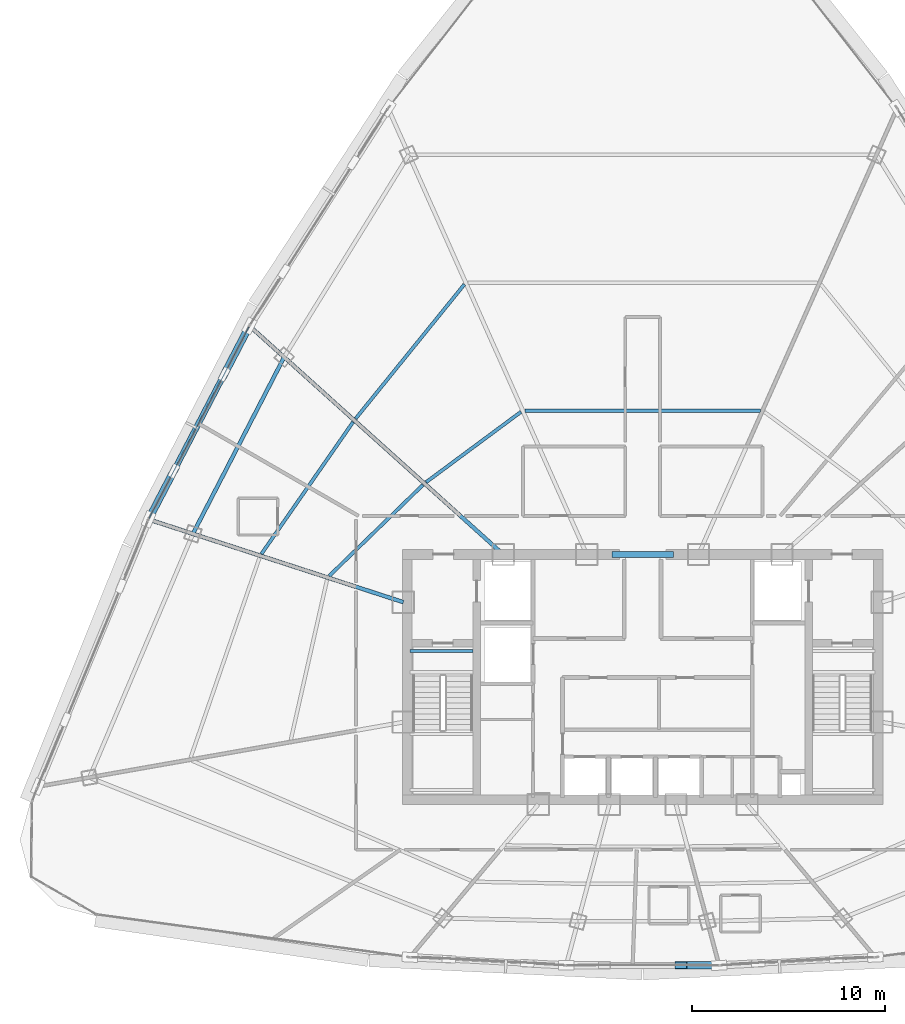
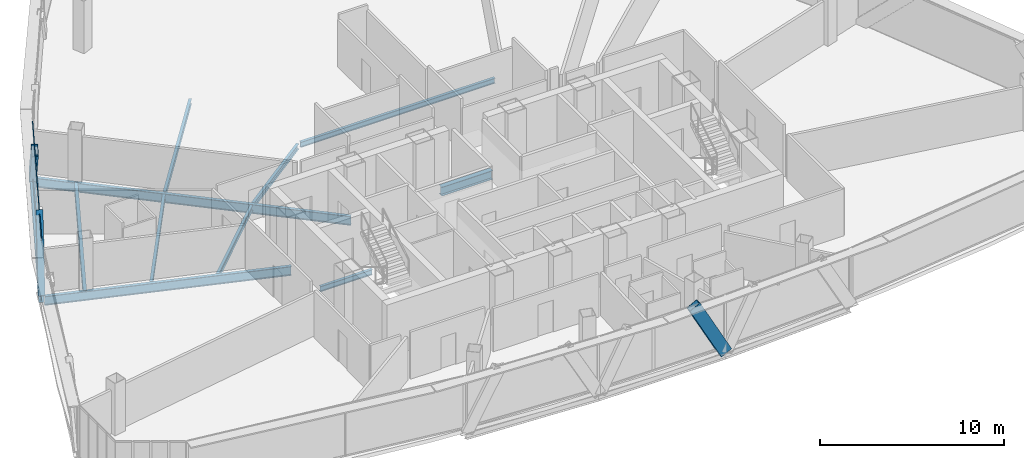
# One storey, part 9 of 40: 11 beams, 5 members, 1 element without a shape of its own.
"""IFC4 building model written with IfcOpenShell, lengths in metres."""

from ifc_helpers import new_model, si_unit, direction, frame, origin, origin_2d, place, context, subcontext, project, spatial, hollow_rectangle, i_section, extrude, source, transform, mapped, material, layer, layer_set, material_profile, profile_set, type_object, element, aggregate, save


model = new_model("IFC4")

# Units and contexts
model_context = context("Model", 3, precision=1e-05, world=origin(), true_north=direction((0.0, 1.0)))
body_context = subcontext(model_context, "Body", "Model", "MODEL_VIEW")
ifc_project = project(units=[si_unit("LENGTHUNIT", "METRE"), si_unit("AREAUNIT", "SQUARE_METRE"), si_unit("VOLUMEUNIT", "CUBIC_METRE"), si_unit("PLANEANGLEUNIT", "RADIAN"), si_unit("MASSUNIT", "GRAM", prefix="KILO"), si_unit("THERMODYNAMICTEMPERATUREUNIT", "KELVIN"), si_unit("POWERUNIT", "WATT")], contexts=[model_context])

# Site, building, storey
site_placement = place(None, origin())
site = spatial("IfcSite", under=ifc_project, at=site_placement, CompositionType="ELEMENT")
building_placement = place(site_placement, origin())
building = spatial("IfcBuilding", under=site, at=building_placement, Name="Yunzhuo Pagoda Commons", CompositionType="ELEMENT")
storey_placement = place(building_placement, frame((0.0, 0.0, 288.75)))
storey = spatial("IfcBuildingStorey", under=building, at=storey_placement, Name="L72", CompositionType="ELEMENT", Elevation=288.75)

# Beams
ifc_material_1 = material(Name="Structural steel Q355B", Category="steel")
ifc_material_profile_1 = material_profile(ifc_material_1, i_section(OverallWidth=0.175048828125, OverallDepth=0.35009765625, WebThickness=0.007080078125, FlangeThickness=0.010986328125, at=origin_2d()), Name="Structural steel Q355B")
ifc_profile_set_1 = profile_set([ifc_material_profile_1], Name="Structural steel Q355B")
beam_type_1 = type_object("IfcBeamType", Name="B-JS2 Joist HN 350x175x7x11", PredefinedType="JOIST", material=ifc_profile_set_1)
shared_shape_1 = source(origin(), body_context, "Body", "SweptSolid", [
    extrude(i_section(OverallWidth=0.175048828125, OverallDepth=0.35009765625, WebThickness=0.007080078125, FlangeThickness=0.010986328125, at=origin_2d()), origin(), (0.0, 0.0, 1.0), 3.25),
])
beam_1_placement = place(storey_placement, frame((35.949951171875, 35.199951171875, -0.375), z_axis=(1.0, 0.0, 0.0), x_axis=(0.0, 1.0, 0.0)))
element("IfcBeam", 1, at=beam_1_placement, inside=storey, type_object=beam_type_1, Name="L72 ST1 landing support beam 176B", PredefinedType="JOIST", context=body_context, shape_type="MappedRepresentation", body=[
    mapped(shared_shape_1, transform((0.0, 0.0, 0.0), scale=1.0)),
])
ifc_material_2 = material(Name="Structural steel Q420B", Category="steel")
ifc_material_profile_2 = material_profile(ifc_material_2, i_section(OverallWidth=0.300048828125, OverallDepth=0.587890625, WebThickness=0.011962890625, FlangeThickness=0.02001953125, at=origin_2d()), Name="Structural steel Q420B")
ifc_profile_set_2 = profile_set([ifc_material_profile_2], Name="Structural steel Q420B")
beam_type_2 = type_object("IfcBeamType", Name="B-CPL Beam HM 588x300x12x20", PredefinedType="BEAM", material=ifc_profile_set_2)
shared_shape_2 = source(origin(), body_context, "Body", "SweptSolid", [
    extrude(i_section(OverallWidth=0.300048828125, OverallDepth=0.587890625, WebThickness=0.011962890625, FlangeThickness=0.02001953125, at=origin_2d()), origin(), (0.0, 0.0, 1.0), 3.2001953125),
])
beam_2_placement = place(storey_placement, frame((46.39990234375, 40.199951171875, -0.553955078125), z_axis=(1.0, 0.0, 0.0), x_axis=(0.0, 1.0, 0.0)))
element("IfcBeam", 2, at=beam_2_placement, inside=storey, type_object=beam_type_2, Name="L72 core coupling girder", PredefinedType="BEAM", context=body_context, shape_type="MappedRepresentation", body=[
    mapped(shared_shape_2, transform((0.0, 0.0, 0.0), scale=1.0)),
])
ifc_material_profile_3 = material_profile(ifc_material_1, i_section(OverallWidth=0.199951171875, OverallDepth=0.60009765625, WebThickness=0.010986328125, FlangeThickness=0.01708984375, at=origin_2d()), Name="Structural steel Q355B")
ifc_profile_set_3 = profile_set([ifc_material_profile_3], Name="Structural steel Q355B")
beam_type_3 = type_object("IfcBeamType", Name="B-RG3 Beam HN 600x200x11x17", PredefinedType="BEAM", material=ifc_profile_set_3)
shared_shape_3 = source(origin(), body_context, "Body", "SweptSolid", [
    extrude(i_section(OverallWidth=0.199951171875, OverallDepth=0.60009765625, WebThickness=0.010986328125, FlangeThickness=0.01708984375, at=origin_2d()), origin(), (0.0, 0.0, 1.0), 10.3017578125),
])
beam_3_placement = place(storey_placement, frame((29.4267578125, 50.423583984375, -0.56005859375), z_axis=(-0.459070867827, -0.888399650108, 0.0), x_axis=(0.888399650108, -0.459070867827, 0.0)))
element("IfcBeam", 3, at=beam_3_placement, inside=storey, type_object=beam_type_3, Name="L72 column-ring beam 10", PredefinedType="BEAM", context=body_context, shape_type="MappedRepresentation", body=[
    mapped(shared_shape_3, transform((0.0, 0.0, 0.0), scale=1.0)),
])
shared_shape_4 = source(origin(), body_context, "Body", "SweptSolid", [
    extrude(i_section(OverallWidth=0.175048828125, OverallDepth=0.35009765625, WebThickness=0.007080078125, FlangeThickness=0.010986328125, at=origin_2d()), origin(), (0.0, 0.0, 1.0), 6.767333984375),
])
beam_4_placement = place(storey_placement, frame((36.611083984375, 43.80029296875, -0.43505859375), z_axis=(-0.717207253673, -0.696859925149, 0.0), x_axis=(0.696859925149, -0.717207253673, 0.0)))
element("IfcBeam", 4, at=beam_4_placement, inside=storey, type_object=beam_type_1, Name="L72 composite ring joist 1.10", PredefinedType="JOIST", context=body_context, shape_type="MappedRepresentation", body=[
    mapped(shared_shape_4, transform((0.0, 0.0, 0.0), scale=1.0)),
])
shared_shape_5 = source(origin(), body_context, "Body", "SweptSolid", [
    extrude(i_section(OverallWidth=0.175048828125, OverallDepth=0.35009765625, WebThickness=0.007080078125, FlangeThickness=0.010986328125, at=origin_2d()), origin(), (0.0, 0.0, 1.0), 8.31103515625),
])
beam_5_placement = place(storey_placement, frame((32.994384765625, 47.0576171875, -0.43505859375), z_axis=(-0.570615989364, -0.821217019236, 0.0), x_axis=(0.821217019236, -0.570615989364, 0.0)))
element("IfcBeam", 5, at=beam_5_placement, inside=storey, type_object=beam_type_1, Name="L72 composite ring joist 2.10", PredefinedType="JOIST", context=body_context, shape_type="MappedRepresentation", body=[
    mapped(shared_shape_5, transform((0.0, 0.0, 0.0), scale=1.0)),
])
shared_shape_6 = source(origin(), body_context, "Body", "SweptSolid", [
    extrude(i_section(OverallWidth=0.175048828125, OverallDepth=0.35009765625, WebThickness=0.007080078125, FlangeThickness=0.010986328125, at=origin_2d()), origin(), (0.0, 0.0, 1.0), 6.109619140625),
])
beam_6_placement = place(storey_placement, frame((41.6943359375, 47.5869140625, -0.43505859375), z_axis=(-0.803396474468, -0.595444459888, 0.0), x_axis=(0.595444459888, -0.803396474468, 0.0)))
element("IfcBeam", 6, at=beam_6_placement, inside=storey, type_object=beam_type_1, Name="L72 composite ring joist 1.9", PredefinedType="JOIST", context=body_context, shape_type="MappedRepresentation", body=[
    mapped(shared_shape_6, transform((0.0, 0.0, 0.0), scale=1.0)),
])
shared_shape_7 = source(origin(), body_context, "Body", "SweptSolid", [
    extrude(i_section(OverallWidth=0.175048828125, OverallDepth=0.35009765625, WebThickness=0.007080078125, FlangeThickness=0.010986328125, at=origin_2d()), origin(), (0.0, 0.0, 1.0), 8.9462890625),
])
beam_7_placement = place(storey_placement, frame((38.763916015625, 54.19287109375, -0.43505859375), z_axis=(-0.629455685791, -0.777036382434, 0.0), x_axis=(0.777036382434, -0.629455685791, 0.0)))
element("IfcBeam", 7, at=beam_7_placement, inside=storey, type_object=beam_type_1, Name="L72 composite ring joist 2.9", PredefinedType="JOIST", context=body_context, shape_type="MappedRepresentation", body=[
    mapped(shared_shape_7, transform((0.0, 0.0, 0.0), scale=1.0)),
])
shared_shape_8 = source(origin(), body_context, "Body", "SweptSolid", [
    extrude(i_section(OverallWidth=0.175048828125, OverallDepth=0.35009765625, WebThickness=0.007080078125, FlangeThickness=0.010986328125, at=origin_2d()), origin(), (0.0, 0.0, 1.0), 12.19677734375),
])
beam_8_placement = place(storey_placement, frame((54.098388671875, 47.6552734375, -0.43505859375), z_axis=(-1.0, 0.0, 0.0), x_axis=(0.0, -1.0, 0.0)))
element("IfcBeam", 8, at=beam_8_placement, inside=storey, type_object=beam_type_1, Name="L72 composite ring joist 1.8", PredefinedType="JOIST", context=body_context, shape_type="MappedRepresentation", body=[
    mapped(shared_shape_8, transform((0.0, 0.0, 0.0), scale=1.0)),
])
shared_shape_9 = source(origin(), body_context, "Body", "SweptSolid", [
    extrude(i_section(OverallWidth=0.199951171875, OverallDepth=0.60009765625, WebThickness=0.010986328125, FlangeThickness=0.01708984375, at=origin_2d()), origin(), (0.0, 0.0, 1.0), 13.723388671875),
])
beam_9_placement = place(storey_placement, frame((22.54833984375, 41.9697265625, -0.56005859375), z_axis=(0.951057598357, -0.309013664112, 0.0), x_axis=(0.309013664112, 0.951057598357, 0.0)))
element("IfcBeam", 9, at=beam_9_placement, inside=storey, type_object=beam_type_3, Name="L72 radial floor girder F3C3", PredefinedType="BEAM", context=body_context, shape_type="MappedRepresentation", body=[
    mapped(shared_shape_9, transform((0.0, 0.0, 0.0), scale=1.0)),
])
shared_shape_10 = source(origin(), body_context, "Body", "SweptSolid", [
    extrude(i_section(OverallWidth=0.199951171875, OverallDepth=0.60009765625, WebThickness=0.010986328125, FlangeThickness=0.01708984375, at=origin_2d()), origin(), (0.0, 0.0, 1.0), 17.54541015625),
])
beam_10_placement = place(storey_placement, frame((27.742431640625, 51.9404296875, -0.56005859375), z_axis=(0.74313083727, -0.66914614151, 0.0), x_axis=(0.66914614151, 0.74313083727, 0.0)))
element("IfcBeam", 10, at=beam_10_placement, inside=storey, type_object=beam_type_3, Name="L72 radial floor girder F3C2", PredefinedType="BEAM", context=body_context, shape_type="MappedRepresentation", body=[
    mapped(shared_shape_10, transform((0.0, 0.0, 0.0), scale=1.0)),
])
ifc_material_profile_4 = material_profile(ifc_material_1, i_section(OverallWidth=0.300048828125, OverallDepth=0.43994140625, WebThickness=0.010986328125, FlangeThickness=0.01806640625, at=origin_2d()), Name="Structural steel Q355B")
ifc_profile_set_4 = profile_set([ifc_material_profile_4], Name="Structural steel Q355B")
beam_type_4 = type_object("IfcBeamType", Name="B-SP2 Beam HM 440x300x11x18", PredefinedType="BEAM", material=ifc_profile_set_4)
shared_shape_11 = source(origin(), body_context, "Body", "SweptSolid", [
    extrude(i_section(OverallWidth=0.300048828125, OverallDepth=0.43994140625, WebThickness=0.010986328125, FlangeThickness=0.01806640625, at=origin_2d()), origin(), (0.0, 0.0, 1.0), 11.306640625),
])
beam_11_placement = place(storey_placement, frame((27.627197265625, 52.043701171875, -0.479736328125), z_axis=(-0.462239065904, -0.886755347293, 0.0), x_axis=(0.886755347293, -0.462239065904, 0.0)))
element("IfcBeam", 11, at=beam_11_placement, inside=storey, type_object=beam_type_4, Name="L72 facade edge spandrel beam F3.2", PredefinedType="BEAM", context=body_context, shape_type="MappedRepresentation", body=[
    mapped(shared_shape_11, transform((0.0, 0.0, 0.0), scale=1.0)),
])

# Members
ifc_material_profile_5 = material_profile(ifc_material_1, hollow_rectangle(XDim=0.3798828125, YDim=0.719970703125, WallThickness=0.02001953125, at=origin_2d()), Name="Structural steel Q355B")
ifc_profile_set_5 = profile_set([ifc_material_profile_5], Name="Structural steel Q355B")
member_type_1 = type_object("IfcMemberType", Name="M-DL3 Brace BOX 720x380x20", PredefinedType="BRACE", material=ifc_profile_set_5)
shared_shape_12 = source(origin(), body_context, "Body", "SweptSolid", [
    extrude(hollow_rectangle(XDim=0.3798828125, YDim=0.719970703125, WallThickness=0.02001953125, at=origin_2d()), origin(), (0.0, 0.0, 1.0), 4.2236328125),
])
member_1_placement = place(storey_placement, frame((51.962890625, 18.910888671875, -0.260009765625), z_axis=(-0.469135503, 0.0, 0.883126196998), x_axis=(0.0, -1.0, 0.0)))
element("IfcMember", 12, at=member_1_placement, inside=storey, type_object=member_type_1, Name="L72 facade diamond brace F1.2R", PredefinedType="BRACE", context=body_context, shape_type="MappedRepresentation", body=[
    mapped(shared_shape_12, transform((0.0, 0.0, 0.0), scale=1.0)),
])
shared_shape_13 = source(origin(), body_context, "Body", "SweptSolid", [
    extrude(hollow_rectangle(XDim=0.3798828125, YDim=0.719970703125, WallThickness=0.02001953125, at=origin_2d()), origin(), (0.0, 0.0, 1.0), 4.6796875),
])
member_2_placement = place(storey_placement, frame((27.627197265625, 52.043701171875, -0.260009765625), z_axis=(-0.279159964833, -0.535521778922, 0.797048391463), x_axis=(0.886749603095, -0.462250085354, 0.0)))
element("IfcMember", 13, at=member_2_placement, inside=storey, type_object=member_type_1, Name="L72 facade diamond brace F3.2L", PredefinedType="BRACE", context=body_context, shape_type="MappedRepresentation", body=[
    mapped(shared_shape_13, transform((0.0, 0.0, 0.0), scale=1.0)),
])
shared_shape_14 = source(origin(), body_context, "Body", "SweptSolid", [
    extrude(hollow_rectangle(XDim=0.3798828125, YDim=0.719970703125, WallThickness=0.02001953125, at=origin_2d()), origin(), (0.0, 0.0, 1.0), 4.68017578125),
])
member_3_placement = place(storey_placement, frame((22.40087890625, 42.017578125, -0.260009765625), z_axis=(0.279240565775, 0.535580588232, 0.796980639623), x_axis=(-0.886715706539, 0.462315104422, 0.0)))
element("IfcMember", 14, at=member_3_placement, inside=storey, type_object=member_type_1, Name="L72 facade diamond brace F3.2R", PredefinedType="BRACE", context=body_context, shape_type="MappedRepresentation", body=[
    mapped(shared_shape_14, transform((0.0, 0.0, 0.0), scale=1.0)),
])

# Curtain wall, members
ifc_material_3 = material(Name="Anodized aluminium 6063-T6", Category="aluminium")
ifc_layer = layer(ifc_material_3, 0.139892578125)
ifc_layer_set = layer_set([ifc_layer], Name="Anodized aluminium 6063-T6")
curtain_wall_type = type_object("IfcCurtainWallType", Name="CW-HI High-Zone Ribbon Curtain Wall", PredefinedType="NOTDEFINED", material=ifc_layer_set)
curtain_wall_placement = place(storey_placement, origin())
curtain_wall = element("IfcCurtainWall", 15, at=curtain_wall_placement, inside=storey, type_object=curtain_wall_type, Name="L72 curtain wall CW-L72-F3B3", PredefinedType="NOTDEFINED")
ifc_material_profile_6 = material_profile(ifc_material_3, hollow_rectangle(XDim=0.054931640625, YDim=0.1201171875, WallThickness=0.00341796875, at=origin_2d()), Name="Anodized aluminium 6063-T6")
ifc_profile_set_6 = profile_set([ifc_material_profile_6], Name="Anodized aluminium 6063-T6")
member_type_2 = type_object("IfcMemberType", Name="CW-HI-T Transom RHS 120x55x3.5", PredefinedType="USERDEFINED", material=ifc_profile_set_6)
shared_shape_15 = source(origin(), body_context, "Body", "SweptSolid", [
    extrude(hollow_rectangle(XDim=0.054931640625, YDim=0.1201171875, WallThickness=0.00341796875, at=origin_2d()), origin(), (0.0, 0.0, 1.0), 11.1865234375),
])
member_4_placement = place(storey_placement, frame((27.599365234375, 51.99072265625, 0.027587890625), z_axis=(-0.462217657155, -0.886766506705, 0.0), x_axis=(0.886766506705, -0.462217657155, 0.0)))
member_4 = element("IfcMember", 16, at=member_4_placement, type_object=member_type_2, Name="CW transom 1.1", ObjectType="TRANSOM", PredefinedType="USERDEFINED", context=body_context, shape_type="MappedRepresentation", body=[
    mapped(shared_shape_15, transform((0.0, 0.0, 0.0), scale=1.0)),
])
member_5_placement = place(storey_placement, frame((27.599365234375, 51.99072265625, 3.4423828125), z_axis=(-0.462217657155, -0.886766506705, 0.0), x_axis=(0.886766506705, -0.462217657155, 0.0)))
member_5 = element("IfcMember", 17, at=member_5_placement, type_object=member_type_2, Name="CW transom 1.2", ObjectType="TRANSOM", PredefinedType="USERDEFINED", context=body_context, shape_type="MappedRepresentation", body=[
    mapped(shared_shape_15, transform((0.0, 0.0, 0.0), scale=1.0)),
])
aggregate(curtain_wall, [member_4, member_5])

save(model, "model.ifc")
